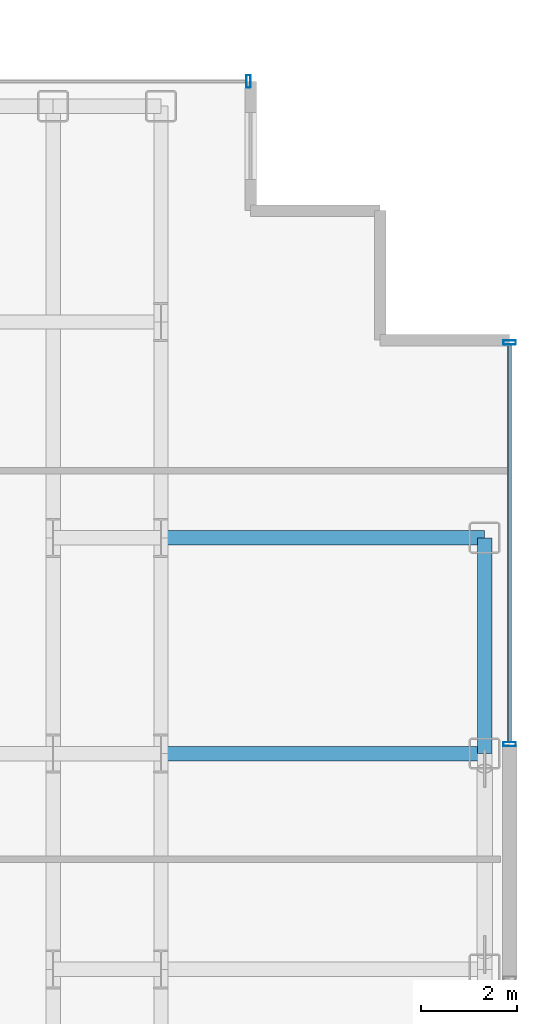
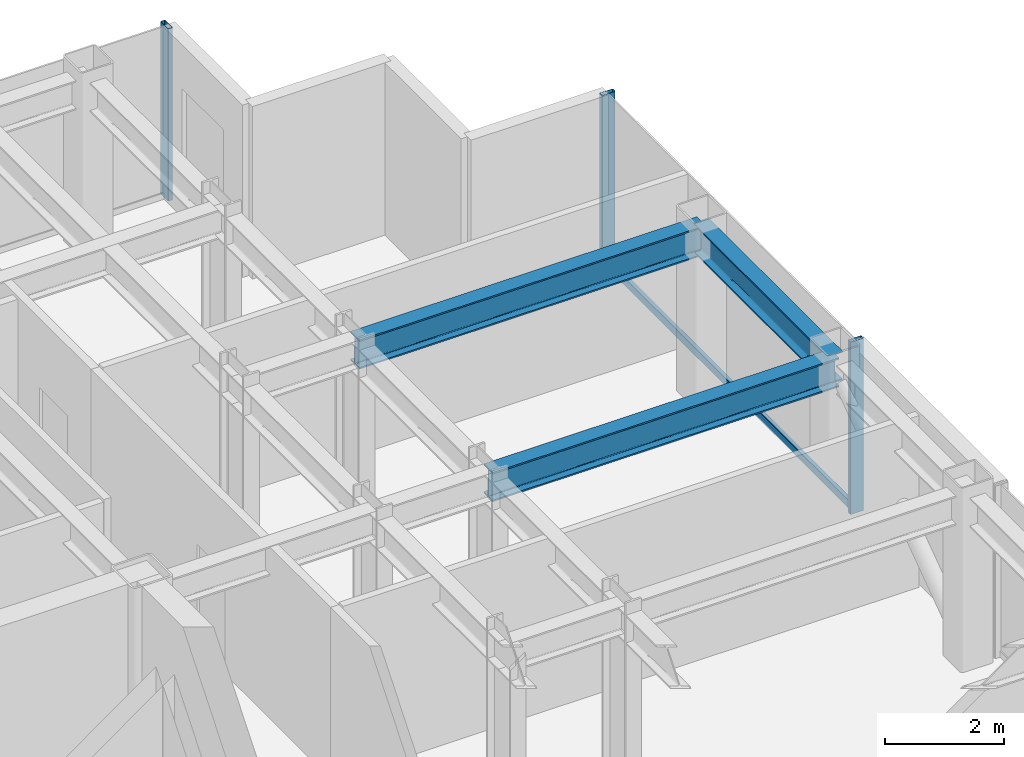
# One storey, part 11 of 21: 4 members, 3 beams, 2 elements without a shape of their own.
"""IFC4 building model written with IfcOpenShell, lengths in metres."""

from ifc_helpers import new_model, si_unit, direction, frame, origin, origin_2d, place, context, subcontext, project, spatial, hollow_rectangle, i_section, extrude, source, transform, mapped, material, layer, layer_set, material_profile, profile_set, type_object, element, aggregate, save


model = new_model("IFC4")

# Units and contexts
model_context = context("Model", 3, precision=1e-05, world=origin(), true_north=direction((0.0, 1.0)))
body_context = subcontext(model_context, "Body", "Model", "MODEL_VIEW")
ifc_project = project(units=[si_unit("LENGTHUNIT", "METRE"), si_unit("AREAUNIT", "SQUARE_METRE"), si_unit("VOLUMEUNIT", "CUBIC_METRE"), si_unit("PLANEANGLEUNIT", "RADIAN"), si_unit("MASSUNIT", "GRAM", prefix="KILO")], contexts=[model_context])

# Site, building, storey
site_placement = place(None, origin())
site = spatial("IfcSite", under=ifc_project, at=site_placement, CompositionType="ELEMENT")
building_placement = place(site_placement, origin())
building = spatial("IfcBuilding", under=site, at=building_placement, Name="Nefas-Gora Pilgrimage Tower", CompositionType="ELEMENT")
storey_placement = place(building_placement, frame((0.0, 0.0, 206.60009765625)))
storey = spatial("IfcBuildingStorey", under=building, at=storey_placement, Name="L51", CompositionType="ELEMENT", Elevation=206.60009765625)

# Beams
ifc_material_1 = material(Name="Steel S355", Category="steel")
ifc_material_profile_1 = material_profile(ifc_material_1, i_section(OverallWidth=0.300048828125, OverallDepth=0.60009765625, WebThickness=0.015380859375, FlangeThickness=0.030029296875, FilletRadius=0.027099609375, at=origin_2d()), Name="HEB 600")
ifc_profile_set_1 = profile_set([ifc_material_profile_1], Name="Steel S355")
beam_type_1 = type_object("IfcBeamType", Name="BM-SPN-HEB450", PredefinedType="SPANDREL", material=ifc_profile_set_1)
shared_shape_1 = source(origin(), body_context, "Body", "SweptSolid", [
    extrude(i_section(OverallWidth=0.300048828125, OverallDepth=0.60009765625, WebThickness=0.015380859375, FlangeThickness=0.030029296875, FilletRadius=0.027099609375, at=origin_2d()), origin(), (0.0, 0.0, 1.0), 4.5),
])
beam_placement = place(storey_placement, frame((24.75, 9.0, 3.25), z_axis=(0.0, 1.0, 0.0), x_axis=(-1.0, 0.0, 0.0)))
element("IfcBeam", 1, at=beam_placement, inside=storey, type_object=beam_type_1, Name="L51 SP-03 beam", PredefinedType="SPANDREL", context=body_context, shape_type="MappedRepresentation", body=[
    mapped(shared_shape_1, transform((0.0, 0.0, 0.0), x_axis=(1.0, 0.0, 0.0), y_axis=(0.0, 1.0, 0.0), z_axis=(0.0, 0.0, 1.0), scale=1.0)),
])
ifc_material_profile_2 = material_profile(ifc_material_1, i_section(OverallWidth=0.300048828125, OverallDepth=0.60009765625, WebThickness=0.015380859375, FlangeThickness=0.030029296875, FilletRadius=0.027099609375, at=origin_2d()), Name="HEB 600")
ifc_profile_set_2 = profile_set([ifc_material_profile_2], Name="Steel S355")
beam_type_2 = type_object("IfcBeamType", Name="BM-GIR-HEB600", PredefinedType="BEAM", material=ifc_profile_set_2)
shared_shape_2 = source(origin(), body_context, "Body", "SweptSolid", [
    extrude(i_section(OverallWidth=0.300048828125, OverallDepth=0.60009765625, WebThickness=0.015380859375, FlangeThickness=0.030029296875, FilletRadius=0.027099609375, at=origin_2d()), origin(), (0.0, 0.0, 1.0), 6.75),
])
for number, where, z_axis, x_axis, name in (
    (2, (18.0, 9.0, 3.25), (1.0, 0.0, 0.0), (0.0, 1.0, 0.0), "L51 G-04 beam"),
    (3, (18.0, 13.5, 3.25), (1.0, 0.0, 0.0), (0.0, 1.0, 0.0), "L51 G-04 beam"),
):
    element("IfcBeam", number, at=place(storey_placement, frame(where, z_axis=z_axis, x_axis=x_axis)), inside=storey, type_object=beam_type_2, Name=name, PredefinedType="BEAM", context=body_context, shape_type="MappedRepresentation", body=[
        mapped(shared_shape_2, transform((0.0, 0.0, 0.0), x_axis=(1.0, 0.0, 0.0), y_axis=(0.0, 1.0, 0.0), z_axis=(0.0, 0.0, 1.0), scale=1.0)),
    ])

# Curtain wall, members
ifc_material_2 = material(Name="Dark ceramic-fritted solar-control aluminium-glass curtain wall", Category="aluminium")
ifc_layer = layer(ifc_material_2, 0.219970703125)
ifc_layer_set = layer_set([ifc_layer], Name="Dark ceramic-fritted solar-control aluminium-glass curtain wall")
curtain_wall_type = type_object("IfcCurtainWallType", Name="CW-SYS-3", PredefinedType="NOTDEFINED", material=ifc_layer_set)
curtain_wall_1_placement = place(storey_placement, origin())
curtain_wall_1 = element("IfcCurtainWall", 4, at=curtain_wall_1_placement, inside=storey, type_object=curtain_wall_type, Name="L51 Unitised Curtain Wall CW3", PredefinedType="NOTDEFINED")
ifc_material_3 = material(Name="Anodised architectural aluminium", Category="aluminium")
ifc_material_profile_3 = material_profile(ifc_material_3, hollow_rectangle(XDim=0.080078125, YDim=0.159912109375, WallThickness=0.00439453125, InnerFilletRadius=0.00439453125, OuterFilletRadius=0.009033203125, at=origin_2d()), Name="ALU TRANSOM 80x160")
ifc_profile_set_3 = profile_set([ifc_material_profile_3], Name="Anodised architectural aluminium")
member_type_1 = type_object("IfcMemberType", Name="CWM-TRN-3", PredefinedType="USERDEFINED", material=ifc_profile_set_3)
shared_shape_3 = source(origin(), body_context, "Body", "SweptSolid", [
    extrude(hollow_rectangle(XDim=0.080078125, YDim=0.159912109375, WallThickness=0.00439453125, InnerFilletRadius=0.00439453125, OuterFilletRadius=0.009033203125, at=origin_2d()), origin(), (0.0, 0.0, 1.0), 8.2900390625),
])
member_1_placement = place(storey_placement, frame((25.27001953125, 9.239990234375, 0.0498046875), z_axis=(0.0, 1.0, 0.0), x_axis=(-1.0, 0.0, 0.0)))
member_1 = element("IfcMember", 5, at=member_1_placement, type_object=member_type_1, Name="CW3 Spandrel Transom", ObjectType="TRANSOM", PredefinedType="USERDEFINED", context=body_context, shape_type="MappedRepresentation", body=[
    mapped(shared_shape_3, transform((0.0, 0.0, 0.0), x_axis=(1.0, 0.0, 0.0), y_axis=(0.0, 1.0, 0.0), z_axis=(0.0, 0.0, 1.0), scale=1.0)),
])
ifc_material_profile_4 = material_profile(ifc_material_3, hollow_rectangle(XDim=0.090087890625, YDim=0.260009765625, WallThickness=0.006103515625, InnerFilletRadius=0.006103515625, OuterFilletRadius=0.011962890625, at=origin_2d()), Name="ALU MULLION 90x260")
ifc_profile_set_4 = profile_set([ifc_material_profile_4], Name="Anodised architectural aluminium")
member_type_2 = type_object("IfcMemberType", Name="CWM-MUL-3", PredefinedType="MULLION", material=ifc_profile_set_4)
shared_shape_4 = source(origin(), body_context, "Body", "SweptSolid", [
    extrude(hollow_rectangle(XDim=0.090087890625, YDim=0.260009765625, WallThickness=0.006103515625, InnerFilletRadius=0.006103515625, OuterFilletRadius=0.011962890625, at=origin_2d()), origin(), (0.0, 0.0, 1.0), 3.5498046875),
])
member_2_placement = place(storey_placement, frame((25.27001953125, 9.195068359375, 0.0), z_axis=(0.0, 0.0, 1.0), x_axis=(0.0, 1.0, 0.0)))
member_2 = element("IfcMember", 6, at=member_2_placement, type_object=member_type_2, Name="CW3 Mullion 1", PredefinedType="MULLION", context=body_context, shape_type="MappedRepresentation", body=[
    mapped(shared_shape_4, transform((0.0, 0.0, 0.0), x_axis=(1.0, 0.0, 0.0), y_axis=(0.0, 1.0, 0.0), z_axis=(0.0, 0.0, 1.0), scale=1.0)),
])
member_3_placement = place(storey_placement, frame((25.27001953125, 17.574951171875, 0.0), z_axis=(0.0, 0.0, 1.0), x_axis=(0.0, 1.0, 0.0)))
member_3 = element("IfcMember", 7, at=member_3_placement, type_object=member_type_2, Name="CW3 Mullion 2", PredefinedType="MULLION", context=body_context, shape_type="MappedRepresentation", body=[
    mapped(shared_shape_4, transform((0.0, 0.0, 0.0), x_axis=(1.0, 0.0, 0.0), y_axis=(0.0, 1.0, 0.0), z_axis=(0.0, 0.0, 1.0), scale=1.0)),
])
aggregate(curtain_wall_1, [member_2, member_3, member_1])

# Curtain wall, member
curtain_wall_2_placement = place(storey_placement, origin())
curtain_wall_2 = element("IfcCurtainWall", 8, at=curtain_wall_2_placement, inside=storey, type_object=curtain_wall_type, Name="L51 Unitised Curtain Wall CW3", PredefinedType="NOTDEFINED")
member_4_placement = place(storey_placement, frame((19.824951171875, 23.02001953125, 0.0), z_axis=(0.0, 0.0, 1.0), x_axis=(-1.0, 0.0, 0.0)))
member_4 = element("IfcMember", 9, at=member_4_placement, type_object=member_type_2, Name="CW3 Mullion 1", PredefinedType="MULLION", context=body_context, shape_type="MappedRepresentation", body=[
    mapped(shared_shape_4, transform((0.0, 0.0, 0.0), x_axis=(1.0, 0.0, 0.0), y_axis=(0.0, 1.0, 0.0), z_axis=(0.0, 0.0, 1.0), scale=1.0)),
])
aggregate(curtain_wall_2, [member_4])

save(model, "model.ifc")
